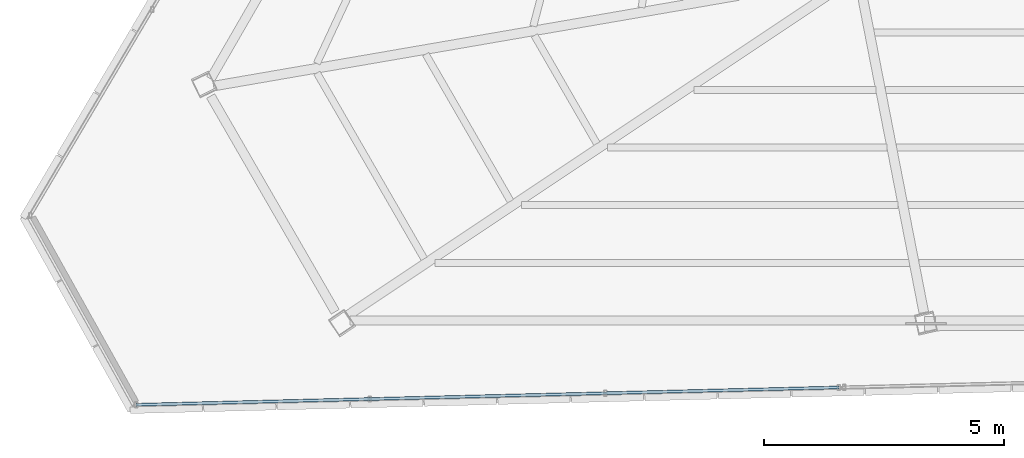
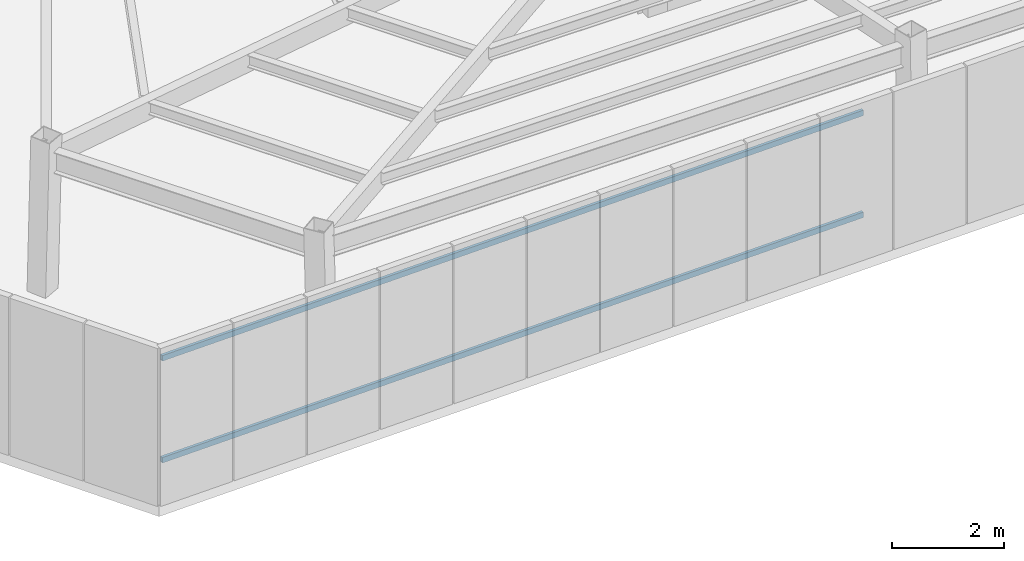
# One storey, part 4 of 44: 2 members, 1 element without a shape of its own.
"""IFC4 building model written with IfcOpenShell, lengths in metres."""

from ifc_helpers import new_model, si_unit, direction, frame, origin, origin_2d, place, context, subcontext, project, spatial, hollow_rectangle, extrude, source, transform, mapped, material, material_profile, profile_set, type_object, type_shapes, element, aggregate, save


model = new_model("IFC4")

# Units and contexts
model_context = context("Model", 3, precision=1e-05, world=origin(), true_north=direction((0.0, 1.0)))
body_context = subcontext(model_context, "Body", "Model", "MODEL_VIEW")
ifc_project = project(units=[si_unit("LENGTHUNIT", "METRE"), si_unit("AREAUNIT", "SQUARE_METRE"), si_unit("VOLUMEUNIT", "CUBIC_METRE"), si_unit("PLANEANGLEUNIT", "RADIAN"), si_unit("MASSUNIT", "GRAM", prefix="KILO")], contexts=[model_context])

# Site, building, storey
site_placement = place(None, origin())
site = spatial("IfcSite", under=ifc_project, at=site_placement, CompositionType="ELEMENT")
building_placement = place(site_placement, origin())
building = spatial("IfcBuilding", under=site, at=building_placement, Name="Caelisora Broadcast Tower", CompositionType="ELEMENT")
storey_placement = place(building_placement, frame((0.0, 0.0, 296.60009765625)))
storey = spatial("IfcBuildingStorey", under=building, at=storey_placement, Name="L78", CompositionType="ELEMENT", Elevation=296.60009765625)

# Curtain wall, members
ifc_material_1 = material(Name="Unitised Aluminium Insulated Shadow-Box Spandrel Curtain Wall", Category="aluminium")
curtain_wall_type = type_object("IfcCurtainWallType", Name="CW-SP3", PredefinedType="NOTDEFINED", material=ifc_material_1)
curtain_wall_placement = place(storey_placement, origin())
curtain_wall = element("IfcCurtainWall", 1, at=curtain_wall_placement, inside=storey, type_object=curtain_wall_type, Name="L78 curtain wall CW-SP3", PredefinedType="NOTDEFINED")
ifc_material_2 = material(Name="Aluminium 6063-T6 Anodised Terracotta Bronze", Category="aluminium")
ifc_material_profile = material_profile(ifc_material_2, hollow_rectangle(XDim=0.06005859375, YDim=0.1201171875, WallThickness=0.0029296875, at=origin_2d()), Name="Aluminium 6063-T6 Anodised Terracotta Bronze")
ifc_profile_set = profile_set([ifc_material_profile], Name="Aluminium 6063-T6 Anodised Terracotta Bronze")
member_type = type_object("IfcMemberType", Name="CWT-03", PredefinedType="USERDEFINED", material=ifc_profile_set)
shared_shape = source(origin(), body_context, "Body", "SweptSolid", [
    extrude(hollow_rectangle(XDim=0.06005859375, YDim=0.1201171875, WallThickness=0.0029296875, at=origin_2d()), origin(), (0.0, 0.0, 1.0), 14.65771484375),
])
type_shapes(member_type, [shared_shape])
member_1_placement = place(storey_placement, frame((30.097412109375, 8.797607421875, 0.849853515625), z_axis=(-0.999694474997, -0.024717537502, 0.0), x_axis=(0.024717537502, -0.999694474997, 0.0)))
member_1 = element("IfcMember", 2, at=member_1_placement, type_object=member_type, Name="L78-CW-B07 transom #1", ObjectType="TRANSOM", PredefinedType="USERDEFINED", context=body_context, shape_type="MappedRepresentation", body=[
    mapped(shared_shape, transform((0.0, 0.0, 0.0), scale=1.0)),
])
member_2_placement = place(storey_placement, frame((30.097412109375, 8.797607421875, 3.06982421875), z_axis=(-0.999694474997, -0.024717537502, 0.0), x_axis=(0.024717537502, -0.999694474997, 0.0)))
member_2 = element("IfcMember", 3, at=member_2_placement, type_object=member_type, Name="L78-CW-B07 transom #2", ObjectType="TRANSOM", PredefinedType="USERDEFINED", context=body_context, shape_type="MappedRepresentation", body=[
    mapped(shared_shape, transform((0.0, 0.0, 0.0), scale=1.0)),
])
aggregate(curtain_wall, [member_1, member_2])

save(model, "model.ifc")
